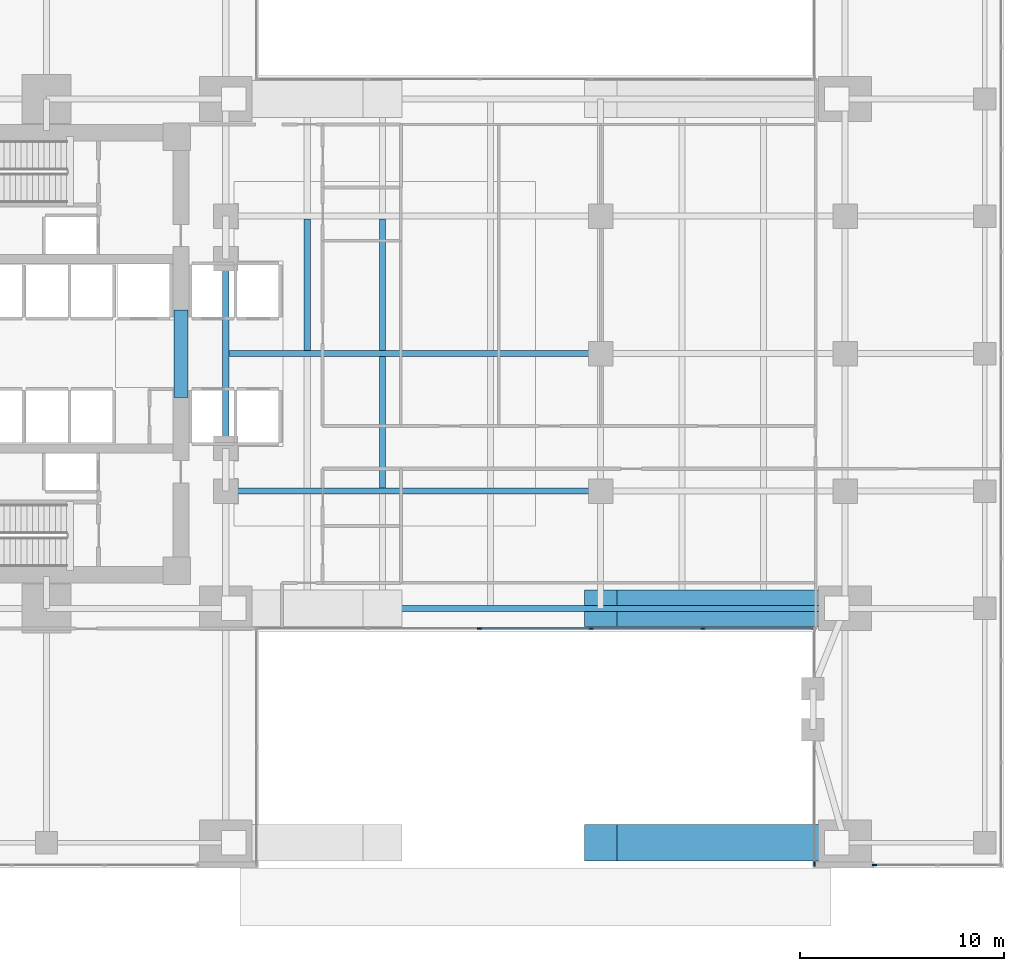
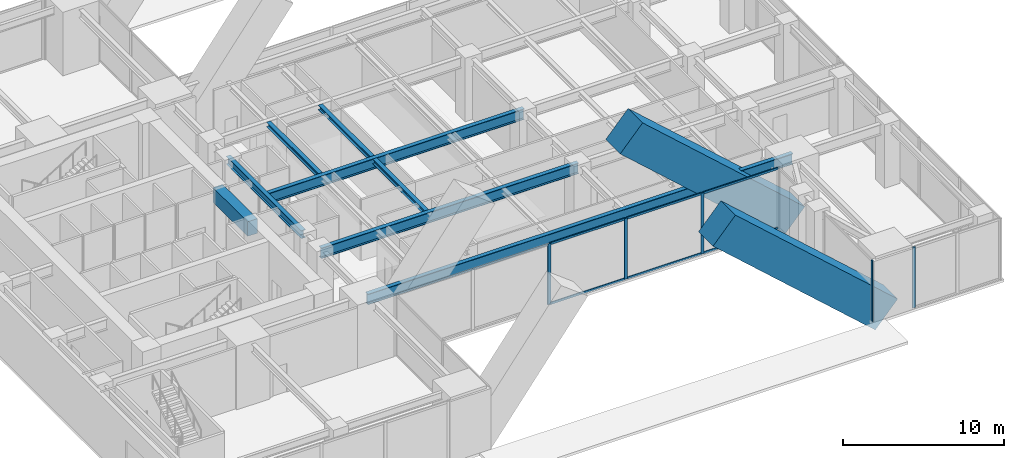
# One storey, part 3 of 13: 11 members, 10 beams, 3 elements without a shape of their own.
"""IFC4 building model written with IfcOpenShell, lengths in metres."""

import ifcopenshell
import ifcopenshell.guid

model = None  # the IFC model being written
_history = None  # IfcOwnerHistory: only IFC2X3 demands one
_inside = {}  # id of a spatial element -> (the spatial element, [elements in it])
_under = {}  # id of a project, library or spatial element -> (it, [spatial elements below it])
_declared = {}  # id of a project -> (the project, [libraries it declares])
_typed = {}  # id of a type object -> (the type object, [elements of that type])
_made_of = {}  # id of a material, layer set ... -> (it, [elements and type objects made of it])


def new_model(schema):
    """Start an empty IFC model of exactly this schema.

    Asked for "IFC4X3", IfcOpenShell would pick the latest addendum, in which some entities
    have other attributes; the version numbers below select the first issue.
    IFC2X3 requires an IfcOwnerHistory on every rooted entity: one is made here for all.
    """
    global model, _history
    if schema == "IFC4X3":
        model = ifcopenshell.file(schema_version=(4, 3, 0, 0))
    else:
        model = ifcopenshell.file(schema=schema)
    _inside.clear()
    _under.clear()
    _declared.clear()
    _typed.clear()
    _made_of.clear()
    _history = None
    if model.schema == "IFC2X3":
        org = make("IfcOrganization", Name="unknown")
        user = make(
            "IfcPersonAndOrganization",
            ThePerson=make("IfcPerson", FamilyName="unknown"),
            TheOrganization=org,
        )
        app = make(
            "IfcApplication",
            ApplicationDeveloper=org,
            Version="unknown",
            ApplicationFullName="unknown",
            ApplicationIdentifier="unknown",
        )
        _history = make(
            "IfcOwnerHistory",
            OwningUser=user,
            OwningApplication=app,
            ChangeAction="ADDED",
            CreationDate=0,
        )
    return model


def make(cls, **values):
    """One entity of the class cls with the attributes given. An attribute that is None is left unset."""
    return model.create_entity(
        cls, **{name: value for name, value in values.items() if value is not None}
    )


def rooted(cls, **values):
    """An entity with a GlobalId (a new one), such as an element, a storey or a relation."""
    return make(cls, GlobalId=ifcopenshell.guid.new(), OwnerHistory=_history, **values)


def si_unit(unit_type, name, prefix=None):
    """IfcSIUnit, for example si_unit("LENGTHUNIT", "METRE", prefix="MILLI")."""
    return make("IfcSIUnit", UnitType=unit_type, Prefix=prefix, Name=name)


def assignment(units):
    """IfcUnitAssignment: the units of a project."""
    return None if units is None else make("IfcUnitAssignment", Units=units)


def point(xyz):
    """IfcCartesianPoint."""
    return None if xyz is None else make("IfcCartesianPoint", Coordinates=xyz)


def direction(xyz):
    """IfcDirection."""
    return None if xyz is None else make("IfcDirection", DirectionRatios=xyz)


def frame(location, z_axis=None, x_axis=None):
    """IfcAxis2Placement3D, a coordinate frame: its origin and axes. An axis left out is left unset."""
    return make(
        "IfcAxis2Placement3D",
        Location=point(location),
        Axis=direction(z_axis),
        RefDirection=direction(x_axis),
    )


def frame_2d(location, x_axis=None):
    """IfcAxis2Placement2D, a coordinate frame in the plane: its origin and x axis."""
    return make(
        "IfcAxis2Placement2D", Location=point(location), RefDirection=direction(x_axis)
    )


def origin():
    """The frame at (0, 0, 0) with its axes left unset."""
    return frame((0.0, 0.0, 0.0))


def origin_2d():
    """The frame at (0, 0) in the plane with its x axis left unset."""
    return frame_2d((0.0, 0.0))


def place(relative_to, where):
    """IfcLocalPlacement: puts the frame where relative to a parent placement (None: the world)."""
    return make(
        "IfcLocalPlacement", PlacementRelTo=relative_to, RelativePlacement=where
    )


def context(
    kind, dimensions, precision=None, world=None, true_north=None, identifier=None
):
    """IfcGeometricRepresentationContext, for example the 3D "Model" context."""
    return make(
        "IfcGeometricRepresentationContext",
        ContextIdentifier=identifier,
        ContextType=kind,
        CoordinateSpaceDimension=dimensions,
        Precision=precision,
        WorldCoordinateSystem=world,
        TrueNorth=true_north,
    )


def subcontext(parent, identifier, kind, view, scale=None):
    """IfcGeometricRepresentationSubContext, for example "Body" below "Model"."""
    return make(
        "IfcGeometricRepresentationSubContext",
        ContextIdentifier=identifier,
        ContextType=kind,
        ParentContext=parent,
        TargetScale=scale,
        TargetView=view,
    )


def project(units=None, contexts=None):
    """IfcProject with its units and contexts."""
    return rooted(
        "IfcProject",
        Name="project",
        RepresentationContexts=contexts,
        UnitsInContext=assignment(units),
    )


def spatial(cls, under=None, at=None, **own):
    """A site, building, storey or space (cls), placed at a placement, below another one or the project."""
    s = rooted(cls, ObjectPlacement=at, **own)
    if under is not None:
        _under.setdefault(under.id(), (under, []))[1].append(s)
    return s


def profile(cls, at=None, kind="AREA", **sizes):
    """A parametric profile (cls). Its sizes go by their IFC names, for example OverallWidth=200.0."""
    return make(cls, ProfileType=kind, Position=at, **sizes)


def rectangle(**sizes):
    """IfcRectangleProfileDef."""
    return profile("IfcRectangleProfileDef", **sizes)


def i_section(**sizes):
    """IfcIShapeProfileDef."""
    return profile("IfcIShapeProfileDef", **sizes)


def extrude(swept, where, along, depth):
    """IfcExtrudedAreaSolid: the profile swept, set in the frame where, extruded along a direction by depth."""
    return make(
        "IfcExtrudedAreaSolid",
        SweptArea=swept,
        Position=where,
        ExtrudedDirection=direction(along),
        Depth=depth,
    )


def shape(context_of_items, identifier, shape_type, items):
    """IfcShapeRepresentation: the items that make up one representation, for example the "Body"."""
    return make(
        "IfcShapeRepresentation",
        ContextOfItems=context_of_items,
        RepresentationIdentifier=identifier,
        RepresentationType=shape_type,
        Items=items,
    )


def material(Name=None, Category=None):
    """IfcMaterial."""
    return make("IfcMaterial", Name=Name, Category=Category)


def layer(
    of_material, thickness, ventilated=None, Name=None, Category=None, Priority=None
):
    """IfcMaterialLayer: one layer of a wall or slab, of a material (None: an air gap)."""
    return make(
        "IfcMaterialLayer",
        Material=of_material,
        LayerThickness=thickness,
        IsVentilated=ventilated,
        Name=Name,
        Category=Category,
        Priority=Priority,
    )


def layer_set(layers, Name=None):
    """IfcMaterialLayerSet."""
    return make("IfcMaterialLayerSet", MaterialLayers=layers, LayerSetName=Name)


def material_profile(
    of_material, cross_section, Name=None, Category=None, Priority=None
):
    """IfcMaterialProfile: a cross section and its material."""
    return make(
        "IfcMaterialProfile",
        Name=Name,
        Material=of_material,
        Profile=cross_section,
        Priority=Priority,
        Category=Category,
    )


def profile_set(profiles, Name=None, composite=None):
    """IfcMaterialProfileSet."""
    return make(
        "IfcMaterialProfileSet",
        Name=Name,
        MaterialProfiles=profiles,
        CompositeProfile=composite,
    )


def made_of(thing, what):
    """Note that an element or type object is made of a material, layer set ...; save() writes the relation."""
    if what is not None:
        _made_of.setdefault(what.id(), (what, []))[1].append(thing)
    return thing


def type_object(cls, material=None, **own):
    """A type object (cls), such as IfcWallType, which elements share."""
    return made_of(rooted(cls, **own), material)


def element(
    cls,
    number,
    at=None,
    inside=None,
    cuts=None,
    type_object=None,
    material=None,
    context=None,
    identifier="Body",
    shape_type=None,
    held_by="IfcProductDefinitionShape",
    body=None,
    shapes=None,
    **own,
):
    """One element of the class cls, such as IfcWall. Its Tag is "e" and its number.

    at: its placement. inside: the storey or other place that contains it. cuts: it is an
    opening in that element (IfcRelVoidsElement). A single representation is given by context,
    identifier, shape_type and body (its items); several are given by shapes. held_by: the class
    of the entity that holds the representations. save() writes the other relations.
    """
    e = rooted(cls, Tag="e%d" % number, ObjectPlacement=at, **own)
    if body is not None:
        shapes = [shape(context, identifier, shape_type, body)]
    if shapes is not None:
        e.Representation = make(held_by, Representations=shapes)
    if inside is not None:
        _inside.setdefault(inside.id(), (inside, []))[1].append(e)
    if cuts is not None:
        rooted(
            "IfcRelVoidsElement", RelatingBuildingElement=cuts, RelatedOpeningElement=e
        )
    if type_object is not None:
        _typed.setdefault(type_object.id(), (type_object, []))[1].append(e)
    return made_of(e, material)


def aggregate(whole, parts):
    """IfcRelAggregates: a whole, such as a stair, and the parts it consists of."""
    return rooted("IfcRelAggregates", RelatingObject=whole, RelatedObjects=parts)


def save(model, path):
    """Write the relations noted so far, then the file.

    IfcRelAggregates (storeys below a building ...), IfcRelContainedInSpatialStructure (elements
    in a storey), IfcRelDefinesByType, IfcRelAssociatesMaterial and IfcRelDeclares: one each for
    every whole, place, type object, material and project.
    """
    for whole, parts in _under.values():
        aggregate(whole, parts)
    for where, things in _inside.values():
        rooted(
            "IfcRelContainedInSpatialStructure",
            RelatedElements=things,
            RelatingStructure=where,
        )
    for kind, things in _typed.values():
        rooted("IfcRelDefinesByType", RelatedObjects=things, RelatingType=kind)
    for what, things in _made_of.values():
        rooted("IfcRelAssociatesMaterial", RelatedObjects=things, RelatingMaterial=what)
    for by, libraries in _declared.values():
        rooted("IfcRelDeclares", RelatingContext=by, RelatedDefinitions=libraries)
    model.write(path)


model = new_model("IFC4")

# Units and contexts
model_context = context("Model", 3, precision=1e-05, world=origin(), true_north=direction((0.0, 1.0)))
body_context = subcontext(model_context, "Body", "Model", "MODEL_VIEW")
ifc_project = project(units=[si_unit("LENGTHUNIT", "METRE"), si_unit("AREAUNIT", "SQUARE_METRE"), si_unit("VOLUMEUNIT", "CUBIC_METRE"), si_unit("PLANEANGLEUNIT", "RADIAN"), si_unit("MASSUNIT", "GRAM", prefix="KILO")], contexts=[model_context])

# Site, building, storey
site_placement = place(None, origin())
site = spatial("IfcSite", under=ifc_project, at=site_placement, CompositionType="ELEMENT")
building_placement = place(site_placement, origin())
building = spatial("IfcBuilding", under=site, at=building_placement, Name="Kinhvarn Gate Tower", CompositionType="ELEMENT")
storey_placement = place(building_placement, frame((0.0, 0.0, 6.0)))
storey = spatial("IfcBuildingStorey", under=building, at=storey_placement, Name="L01", CompositionType="ELEMENT", Elevation=6.0)

# Beams
ifc_material_1 = material(Name="Concrete C70/85", Category="concrete")
ifc_material_profile_1 = material_profile(ifc_material_1, rectangle(XDim=1.800048828125, YDim=2.39990234375, at=origin_2d()), Name="RC 1800x2400")
ifc_profile_set_1 = profile_set([ifc_material_profile_1], Name="Concrete C70/85")
beam_type_1 = type_object("IfcBeamType", Name="BM-AR-2400", PredefinedType="BEAM", material=ifc_profile_set_1)
for number, where, z_axis, x_axis, name in (
    (1, (38.199951171875, 1.25, 10.39990234375), (0.744575349393, 0.0, -0.667538425168), (0.0, 1.0, 0.0), "Portal Arch East Haunch Rib AR-01-E1"),
    (2, (38.199951171875, 12.75, 10.39990234375), (0.744575349393, 0.0, -0.667538425168), (0.0, 1.0, 0.0), "Portal Arch East Haunch Rib AR-01-E2"),
):
    element("IfcBeam", number, at=place(storey_placement, frame(where, z_axis=z_axis, x_axis=x_axis)), inside=storey, type_object=beam_type_1, Name=name, PredefinedType="BEAM", context=body_context, shape_type="SweptSolid", body=[
        extrude(rectangle(XDim=1.800048828125, YDim=2.39990234375, at=origin_2d()), origin(), (0.0, 0.0, 1.0), 15.57958984375),
    ])
ifc_material_profile_2 = material_profile(ifc_material_1, rectangle(XDim=0.699951171875, YDim=1.10009765625, at=origin_2d()), Name="RC 700x1100")
ifc_profile_set_2 = profile_set([ifc_material_profile_2], Name="Concrete C70/85")
beam_type_2 = type_object("IfcBeamType", Name="BM-CB-1100", PredefinedType="LINTEL", material=ifc_profile_set_2)
beam_1_placement = place(storey_placement, frame((17.60009765625, 23.10009765625, 4.050048828125), z_axis=(0.0, 1.0, 0.0), x_axis=(-1.0, 0.0, 0.0)))
element("IfcBeam", 3, at=beam_1_placement, inside=storey, type_object=beam_type_2, Name="Core East Portal Coupling Beam L01", PredefinedType="LINTEL", context=body_context, shape_type="SweptSolid", body=[
    extrude(rectangle(XDim=0.699951171875, YDim=1.10009765625, at=origin_2d()), origin(), (0.0, 0.0, 1.0), 4.2998046875),
])

# Curtain wall, member
ifc_material_2 = material(Name="Anodised aluminium AW-6063", Category="aluminium")
ifc_layer = layer(ifc_material_2, 0.219970703125)
ifc_layer_set = layer_set([ifc_layer], Name="Anodised aluminium AW-6063")
curtain_wall_type = type_object("IfcCurtainWallType", Name="CW-SYS-1", PredefinedType="NOTDEFINED", material=ifc_layer_set)
curtain_wall_1_placement = place(storey_placement, origin())
curtain_wall_1 = element("IfcCurtainWall", 4, at=curtain_wall_1_placement, inside=storey, type_object=curtain_wall_type, Name="Curtain Wall CW1 (L01)", PredefinedType="NOTDEFINED")
ifc_material_profile_3 = material_profile(ifc_material_2, rectangle(XDim=0.080078125, YDim=0.219970703125, at=origin_2d()), Name="ALU 80x220")
ifc_profile_set_3 = profile_set([ifc_material_profile_3], Name="Anodised aluminium AW-6063")
member_type_1 = type_object("IfcMemberType", Name="CW-MUL-220", PredefinedType="MULLION", material=ifc_profile_set_3)
member_1_placement = place(storey_placement, frame((51.639892578125, 0.14990234375, 0.0), z_axis=(0.0, 0.0, 1.0), x_axis=(0.0, 1.0, 0.0)))
member_1 = element("IfcMember", 5, at=member_1_placement, type_object=member_type_1, Name="CW1 mullion 1", PredefinedType="MULLION", context=body_context, shape_type="SweptSolid", body=[
    extrude(rectangle(XDim=0.080078125, YDim=0.219970703125, at=origin_2d()), origin(), (0.0, 0.0, 1.0), 4.60009765625),
])
aggregate(curtain_wall_1, [member_1])

# Curtain wall, members
curtain_wall_2_placement = place(storey_placement, origin())
curtain_wall_2 = element("IfcCurtainWall", 6, at=curtain_wall_2_placement, inside=storey, type_object=curtain_wall_type, Name="Curtain Wall CW1 (L01)", PredefinedType="NOTDEFINED")
member_2_placement = place(storey_placement, frame((32.261962890625, 11.760009765625, 0.0), z_axis=(0.0, 0.0, 1.0), x_axis=(0.0, 1.0, 0.0)))
member_2 = element("IfcMember", 7, at=member_2_placement, type_object=member_type_1, Name="CW1 mullion 3", PredefinedType="MULLION", context=body_context, shape_type="SweptSolid", body=[
    extrude(rectangle(XDim=0.080078125, YDim=0.219970703125, at=origin_2d()), origin(), (0.0, 0.0, 1.0), 4.60009765625),
])
member_3_placement = place(storey_placement, frame((37.738037109375, 11.760009765625, 0.0), z_axis=(0.0, 0.0, 1.0), x_axis=(0.0, 1.0, 0.0)))
member_3 = element("IfcMember", 8, at=member_3_placement, type_object=member_type_1, Name="CW1 mullion 4", PredefinedType="MULLION", context=body_context, shape_type="SweptSolid", body=[
    extrude(rectangle(XDim=0.080078125, YDim=0.219970703125, at=origin_2d()), origin(), (0.0, 0.0, 1.0), 4.60009765625),
])
member_4_placement = place(storey_placement, frame((43.214111328125, 11.760009765625, 0.0), z_axis=(0.0, 0.0, 1.0), x_axis=(0.0, 1.0, 0.0)))
member_4 = element("IfcMember", 9, at=member_4_placement, type_object=member_type_1, Name="CW1 mullion 5", PredefinedType="MULLION", context=body_context, shape_type="SweptSolid", body=[
    extrude(rectangle(XDim=0.080078125, YDim=0.219970703125, at=origin_2d()), origin(), (0.0, 0.0, 1.0), 4.60009765625),
])

# Curtain wall, member
curtain_wall_3_placement = place(storey_placement, origin())
curtain_wall_3 = element("IfcCurtainWall", 10, at=curtain_wall_3_placement, inside=storey, type_object=curtain_wall_type, Name="Curtain Wall CW1 (L01)", PredefinedType="NOTDEFINED")
member_5_placement = place(storey_placement, frame((48.68994140625, 0.18994140625, 0.0), z_axis=(0.0, 0.0, 1.0), x_axis=(1.0, 0.0, 0.0)))
member_5 = element("IfcMember", 11, at=member_5_placement, type_object=member_type_1, Name="CW1 mullion 2", PredefinedType="MULLION", context=body_context, shape_type="SweptSolid", body=[
    extrude(rectangle(XDim=0.080078125, YDim=0.219970703125, at=origin_2d()), origin(), (0.0, 0.0, 1.0), 4.60009765625),
])
aggregate(curtain_wall_3, [member_5])

# Member
ifc_material_profile_4 = material_profile(ifc_material_2, rectangle(XDim=0.080078125, YDim=0.159912109375, at=origin_2d()), Name="ALU 80x160")
ifc_profile_set_4 = profile_set([ifc_material_profile_4], Name="Anodised aluminium AW-6063")
member_type_2 = type_object("IfcMemberType", Name="CW-TRN-160", PredefinedType="USERDEFINED", material=ifc_profile_set_4)
member_6_placement = place(storey_placement, frame((32.302001953125, 11.760009765625, 0.0400390625), z_axis=(1.0, 0.0, 0.0), x_axis=(0.0, 1.0, 0.0)))
member_6 = element("IfcMember", 12, at=member_6_placement, type_object=member_type_2, Name="CW1 transom 3.1", ObjectType="TRANSOM", PredefinedType="USERDEFINED", context=body_context, shape_type="SweptSolid", body=[
    extrude(rectangle(XDim=0.080078125, YDim=0.159912109375, at=origin_2d()), origin(), (0.0, 0.0, 1.0), 5.39599609375),
])

member_7_placement = place(storey_placement, frame((32.302001953125, 11.760009765625, 4.56005859375), z_axis=(1.0, 0.0, 0.0), x_axis=(0.0, 1.0, 0.0)))
member_7 = element("IfcMember", 13, at=member_7_placement, type_object=member_type_2, Name="CW1 transom 3.2", ObjectType="TRANSOM", PredefinedType="USERDEFINED", context=body_context, shape_type="SweptSolid", body=[
    extrude(rectangle(XDim=0.080078125, YDim=0.159912109375, at=origin_2d()), origin(), (0.0, 0.0, 1.0), 5.39599609375),
])

member_8_placement = place(storey_placement, frame((37.778076171875, 11.760009765625, 0.0400390625), z_axis=(1.0, 0.0, 0.0), x_axis=(0.0, 1.0, 0.0)))
member_8 = element("IfcMember", 14, at=member_8_placement, type_object=member_type_2, Name="CW1 transom 4.1", ObjectType="TRANSOM", PredefinedType="USERDEFINED", context=body_context, shape_type="SweptSolid", body=[
    extrude(rectangle(XDim=0.080078125, YDim=0.159912109375, at=origin_2d()), origin(), (0.0, 0.0, 1.0), 5.39599609375),
])

member_9_placement = place(storey_placement, frame((37.778076171875, 11.760009765625, 4.56005859375), z_axis=(1.0, 0.0, 0.0), x_axis=(0.0, 1.0, 0.0)))
member_9 = element("IfcMember", 15, at=member_9_placement, type_object=member_type_2, Name="CW1 transom 4.2", ObjectType="TRANSOM", PredefinedType="USERDEFINED", context=body_context, shape_type="SweptSolid", body=[
    extrude(rectangle(XDim=0.080078125, YDim=0.159912109375, at=origin_2d()), origin(), (0.0, 0.0, 1.0), 5.39599609375),
])

member_10_placement = place(storey_placement, frame((43.25390625, 11.760009765625, 0.0400390625), z_axis=(1.0, 0.0, 0.0), x_axis=(0.0, 1.0, 0.0)))
member_10 = element("IfcMember", 16, at=member_10_placement, type_object=member_type_2, Name="CW1 transom 5.1", ObjectType="TRANSOM", PredefinedType="USERDEFINED", context=body_context, shape_type="SweptSolid", body=[
    extrude(rectangle(XDim=0.080078125, YDim=0.159912109375, at=origin_2d()), origin(), (0.0, 0.0, 1.0), 5.356201171875),
])

member_11_placement = place(storey_placement, frame((43.25390625, 11.760009765625, 4.56005859375), z_axis=(1.0, 0.0, 0.0), x_axis=(0.0, 1.0, 0.0)))
member_11 = element("IfcMember", 17, at=member_11_placement, type_object=member_type_2, Name="CW1 transom 5.2", ObjectType="TRANSOM", PredefinedType="USERDEFINED", context=body_context, shape_type="SweptSolid", body=[
    extrude(rectangle(XDim=0.080078125, YDim=0.159912109375, at=origin_2d()), origin(), (0.0, 0.0, 1.0), 5.356201171875),
])

aggregate(curtain_wall_2, [member_2, member_3, member_4, member_6, member_7, member_8, member_9, member_10, member_11])

# Beams
ifc_material_3 = material(Name="Steel S355", Category="steel")
ifc_material_profile_5 = material_profile(ifc_material_3, i_section(OverallWidth=0.300048828125, OverallDepth=0.360107421875, WebThickness=0.012451171875, FlangeThickness=0.0224609375, at=origin_2d()), Name="HEB 360")
ifc_profile_set_5 = profile_set([ifc_material_profile_5], Name="Steel S355")
beam_type_3 = type_object("IfcBeamType", Name="STL-HEB360", PredefinedType="BEAM", material=ifc_profile_set_5)
for number, where, z_axis, x_axis, name in (
    (18, (27.5, 18.64990234375, 4.419921875), (0.0, 1.0, 0.0), (-1.0, 0.0, 0.0), "Floor Beam PG-11 (L01 POD-J275-18)"),
    (19, (23.800048828125, 25.39990234375, 4.419921875), (0.0, 1.0, 0.0), (-1.0, 0.0, 0.0), "Floor Beam PG-11 (L01 POD-J238-25)"),
    (20, (27.5, 25.39990234375, 4.419921875), (0.0, 1.0, 0.0), (-1.0, 0.0, 0.0), "Floor Beam PG-11 (L01 POD-J275-25)"),
):
    element("IfcBeam", number, at=place(storey_placement, frame(where, z_axis=z_axis, x_axis=x_axis)), inside=storey, type_object=beam_type_3, Name=name, PredefinedType="BEAM", context=body_context, shape_type="SweptSolid", body=[
        extrude(i_section(OverallWidth=0.300048828125, OverallDepth=0.360107421875, WebThickness=0.012451171875, FlangeThickness=0.0224609375, at=origin_2d()), origin(), (0.0, 0.0, 1.0), 6.4501953125),
    ])
ifc_material_profile_6 = material_profile(ifc_material_3, i_section(OverallWidth=0.300048828125, OverallDepth=0.60009765625, WebThickness=0.015380859375, FlangeThickness=0.030029296875, at=origin_2d()), Name="HEB 600")
ifc_profile_set_6 = profile_set([ifc_material_profile_6], Name="Steel S355")
beam_type_4 = type_object("IfcBeamType", Name="STL-HEB600", PredefinedType="BEAM", material=ifc_profile_set_6)
beam_2_placement = place(storey_placement, frame((19.800048828125, 20.60009765625, 4.300048828125), z_axis=(0.0, 1.0, 0.0), x_axis=(-1.0, 0.0, 0.0)))
element("IfcBeam", 21, at=beam_2_placement, inside=storey, type_object=beam_type_4, Name="Floor Beam PG-16 (L01 APW-4)", PredefinedType="BEAM", context=body_context, shape_type="SweptSolid", body=[
    extrude(i_section(OverallWidth=0.300048828125, OverallDepth=0.60009765625, WebThickness=0.015380859375, FlangeThickness=0.030029296875, at=origin_2d()), origin(), (0.0, 0.0, 1.0), 9.2998046875),
])
ifc_material_profile_7 = material_profile(ifc_material_3, i_section(OverallWidth=0.300048828125, OverallDepth=0.800048828125, WebThickness=0.017578125, FlangeThickness=0.032958984375, at=origin_2d()), Name="HEB 800")
ifc_profile_set_7 = profile_set([ifc_material_profile_7], Name="Steel S355")
beam_type_5 = type_object("IfcBeamType", Name="STL-HEB800", PredefinedType="BEAM", material=ifc_profile_set_7)
beam_3_placement = place(storey_placement, frame((19.800048828125, 12.75, 4.199951171875), z_axis=(1.0, 0.0, 0.0), x_axis=(0.0, 1.0, 0.0)))
element("IfcBeam", 22, at=beam_3_placement, inside=storey, type_object=beam_type_5, Name="Floor Beam PG-19 (L01 POD-S-MAIN)", PredefinedType="BEAM", context=body_context, shape_type="SweptSolid", body=[
    extrude(i_section(OverallWidth=0.300048828125, OverallDepth=0.800048828125, WebThickness=0.017578125, FlangeThickness=0.032958984375, at=origin_2d()), origin(), (0.0, 0.0, 1.0), 30.39990234375),
])
for number, where, z_axis, x_axis, name in (
    (23, (19.800048828125, 18.5, 4.199951171875), (1.0, 0.0, 0.0), (0.0, 1.0, 0.0), "Floor Beam PG-19 (L01 POD-EW1-18)"),
    (24, (19.800048828125, 25.25, 4.199951171875), (1.0, 0.0, 0.0), (0.0, 1.0, 0.0), "Floor Beam PG-19 (L01 POD-EW1-25)"),
):
    element("IfcBeam", number, at=place(storey_placement, frame(where, z_axis=z_axis, x_axis=x_axis)), inside=storey, type_object=beam_type_5, Name=name, PredefinedType="BEAM", context=body_context, shape_type="SweptSolid", body=[
        extrude(i_section(OverallWidth=0.300048828125, OverallDepth=0.800048828125, WebThickness=0.017578125, FlangeThickness=0.032958984375, at=origin_2d()), origin(), (0.0, 0.0, 1.0), 18.39990234375),
    ])

save(model, "model.ifc")
